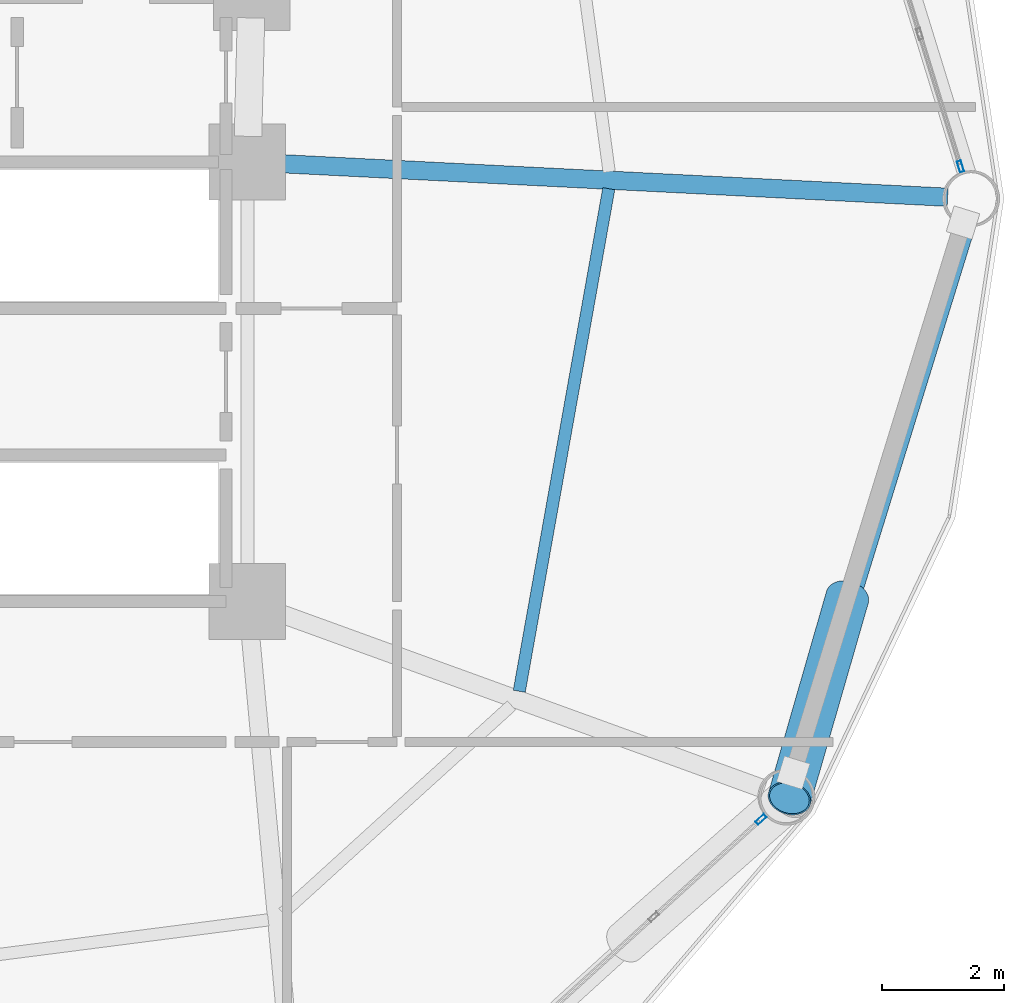
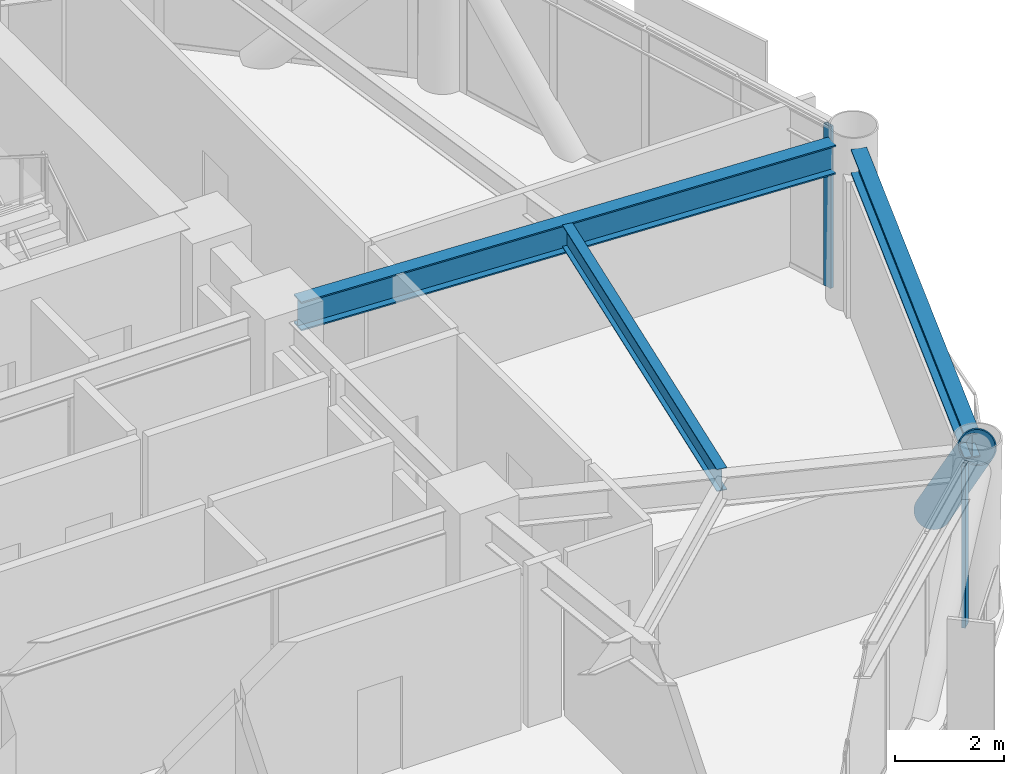
# One storey, part 13 of 25: 3 beams, 3 members, 2 elements without a shape of their own.
"""IFC4 building model written with IfcOpenShell, lengths in metres."""

from ifc_helpers import new_model, si_unit, direction, frame, origin, origin_2d, place, context, subcontext, project, spatial, hollow_rectangle, hollow_circle, i_section, extrude, material, layer, layer_set, material_profile, profile_set, type_object, element, aggregate, save


model = new_model("IFC4")

# Units and contexts
model_context = context("Model", 3, precision=1e-05, world=origin(), true_north=direction((0.0, 1.0)))
body_context = subcontext(model_context, "Body", "Model", "MODEL_VIEW")
ifc_project = project(units=[si_unit("LENGTHUNIT", "METRE"), si_unit("AREAUNIT", "SQUARE_METRE"), si_unit("VOLUMEUNIT", "CUBIC_METRE"), si_unit("PLANEANGLEUNIT", "RADIAN"), si_unit("MASSUNIT", "GRAM", prefix="KILO")], contexts=[model_context])

# Site, building, storey
site_placement = place(None, origin())
site = spatial("IfcSite", under=ifc_project, at=site_placement, CompositionType="ELEMENT")
building_placement = place(site_placement, origin())
building = spatial("IfcBuilding", under=site, at=building_placement, Name="Varnakorn Sky Granary", CompositionType="ELEMENT")
storey_placement = place(building_placement, frame((0.0, 0.0, 70.5)))
storey = spatial("IfcBuildingStorey", under=building, at=storey_placement, Name="L17", CompositionType="ELEMENT", Elevation=70.5)

# Beams
ifc_material_1 = material(Name="Steel S355JR", Category="steel")
ifc_material_profile_1 = material_profile(ifc_material_1, i_section(OverallWidth=0.300048828125, OverallDepth=0.64990234375, WebThickness=0.01611328125, FlangeThickness=0.031005859375, at=origin_2d()), Name="HE 650 B")
ifc_profile_set_1 = profile_set([ifc_material_profile_1], Name="Steel S355JR")
beam_type_1 = type_object("IfcBeamType", Name="BM-RAD-Z1", PredefinedType="BEAM", material=ifc_profile_set_1)
beam_1_placement = place(storey_placement, frame((8.76953125, 0.578857421875, 3.31494140625), z_axis=(0.998733838195, -0.050306266455, 0.0), x_axis=(0.050306266455, 0.998733838195, 0.0)))
element("IfcBeam", 1, at=beam_1_placement, inside=storey, type_object=beam_type_1, Name="Radial Floor Girder RG01 L17", PredefinedType="BEAM", context=body_context, shape_type="SweptSolid", body=[
    extrude(i_section(OverallWidth=0.300048828125, OverallDepth=0.64990234375, WebThickness=0.01611328125, FlangeThickness=0.031005859375, at=origin_2d()), origin(), (0.0, 0.0, 1.0), 11.06494140625),
])
ifc_material_profile_2 = material_profile(ifc_material_1, i_section(OverallWidth=0.199951171875, OverallDepth=0.5, WebThickness=0.01025390625, FlangeThickness=0.01611328125, at=origin_2d()), Name="IPE 500")
ifc_profile_set_2 = profile_set([ifc_material_profile_2], Name="Steel S355JR")
beam_type_2 = type_object("IfcBeamType", Name="BM-SEC-Z1", PredefinedType="BEAM", material=ifc_profile_set_2)
beam_2_placement = place(storey_placement, frame((12.803955078125, -8.06982421875, 3.389892578125), z_axis=(0.17538237994, 0.984500391471, 0.0), x_axis=(-0.984500391471, 0.17538237994, 0.0)))
element("IfcBeam", 2, at=beam_2_placement, inside=storey, type_object=beam_type_2, Name="Secondary Floor Chord Beam MSB12 L17", PredefinedType="BEAM", context=body_context, shape_type="SweptSolid", body=[
    extrude(i_section(OverallWidth=0.199951171875, OverallDepth=0.5, WebThickness=0.01025390625, FlangeThickness=0.01611328125, at=origin_2d()), origin(), (0.0, 0.0, 1.0), 8.362060546875),
])
ifc_material_profile_3 = material_profile(ifc_material_1, i_section(OverallWidth=0.300048828125, OverallDepth=0.550048828125, WebThickness=0.014892578125, FlangeThickness=0.029052734375, at=origin_2d()), Name="HE 550 B")
ifc_profile_set_3 = profile_set([ifc_material_profile_3], Name="Steel S355JR")
beam_type_3 = type_object("IfcBeamType", Name="BM-SPD-Z1", PredefinedType="SPANDREL", material=ifc_profile_set_3)
beam_3_placement = place(storey_placement, frame((17.35986328125, -9.400634765625, 3.364990234375), z_axis=(0.29497853302, 0.95550388019, 0.0), x_axis=(-0.95550388019, 0.29497853302, 0.0)))
element("IfcBeam", 3, at=beam_3_placement, inside=storey, type_object=beam_type_3, Name="Perimeter Spandrel Ring Beam RB12 L17", PredefinedType="SPANDREL", context=body_context, shape_type="SweptSolid", body=[
    extrude(i_section(OverallWidth=0.300048828125, OverallDepth=0.550048828125, WebThickness=0.014892578125, FlangeThickness=0.029052734375, at=origin_2d()), origin(), (0.0, 0.0, 1.0), 9.396484375),
])

# Curtain wall, member
ifc_material_2 = material(Name="Anodised Bronze Aluminium Alloy 6063-T6", Category="aluminium")
ifc_layer = layer(ifc_material_2, 0.18994140625, Name="Anodised Bronze Aluminium Alloy 6063-T6")
ifc_layer_set = layer_set([ifc_layer], Name="Anodised Bronze Aluminium Alloy 6063-T6")
curtain_wall_type = type_object("IfcCurtainWallType", Name="CW-FRM-1", PredefinedType="USERDEFINED", material=ifc_layer_set)
curtain_wall_1_placement = place(storey_placement, origin())
curtain_wall_1 = element("IfcCurtainWall", 4, at=curtain_wall_1_placement, inside=storey, type_object=curtain_wall_type, Name="Unitised Curtain Wall CW3 CW-L17-B01", ObjectType="CURTAIN WALL", PredefinedType="USERDEFINED")
ifc_material_profile_4 = material_profile(ifc_material_2, hollow_rectangle(XDim=0.070068359375, YDim=0.18505859375, WallThickness=0.00390625, at=origin_2d()), Name="ALU MULL 70x185")
ifc_profile_set_4 = profile_set([ifc_material_profile_4], Name="Anodised Bronze Aluminium Alloy 6063-T6")
member_type_1 = type_object("IfcMemberType", Name="CW-FRM-1-MULL", PredefinedType="MULLION", material=ifc_profile_set_4)
member_1_placement = place(storey_placement, frame((20.03125, 0.52734375, 0.0), z_axis=(0.0, 0.0, 1.0), x_axis=(0.955536644145, 0.29487238205, 0.0)))
member_1 = element("IfcMember", 5, at=member_1_placement, type_object=member_type_1, Name="CW3 mullion 5", PredefinedType="MULLION", context=body_context, shape_type="SweptSolid", body=[
    extrude(hollow_rectangle(XDim=0.070068359375, YDim=0.18505859375, WallThickness=0.00390625, at=origin_2d()), origin(), (0.0, 0.0, 1.0), 3.639892578125),
])
aggregate(curtain_wall_1, [member_1])

curtain_wall_2_placement = place(storey_placement, origin())
curtain_wall_2 = element("IfcCurtainWall", 6, at=curtain_wall_2_placement, inside=storey, type_object=curtain_wall_type, Name="Unitised Curtain Wall CW3 CW-L17-B11", ObjectType="CURTAIN WALL", PredefinedType="USERDEFINED")
member_2_placement = place(storey_placement, frame((16.76220703125, -10.168212890625, 0.0), z_axis=(0.0, 0.0, 1.0), x_axis=(0.672582331683, -0.740022301764, 0.0)))
member_2 = element("IfcMember", 7, at=member_2_placement, type_object=member_type_1, Name="CW3 mullion 1", PredefinedType="MULLION", context=body_context, shape_type="SweptSolid", body=[
    extrude(hollow_rectangle(XDim=0.070068359375, YDim=0.18505859375, WallThickness=0.00390625, at=origin_2d()), origin(), (0.0, 0.0, 1.0), 3.639892578125),
])
aggregate(curtain_wall_2, [member_2])

# Member
ifc_material_3 = material(Name="Steel S460M", Category="steel")
ifc_material_profile_5 = material_profile(ifc_material_3, hollow_circle(Radius=0.35546875, WallThickness=0.02490234375, at=origin_2d()), Name="CHS 711x25")
ifc_profile_set_5 = profile_set([ifc_material_profile_5], Name="Steel S460M")
member_type_2 = type_object("IfcMemberType", Name="MB-DIAG-T0", PredefinedType="BRACE", material=ifc_profile_set_5)
member_3_placement = place(storey_placement, frame((18.178466796875, -6.53125, -0.1298828125), z_axis=(-0.186297902917, -0.646219352979, 0.740063267028), x_axis=(0.960867739521, -0.277007557926, 0.0)))
element("IfcMember", 8, at=member_3_placement, inside=storey, type_object=member_type_2, Name="Perimeter CHS Diagrid Brace DG12 L17", PredefinedType="BRACE", context=body_context, shape_type="SweptSolid", body=[
    extrude(hollow_circle(Radius=0.35546875, WallThickness=0.02490234375, at=origin_2d()), origin(), (0.0, 0.0, 1.0), 5.09375),
])

save(model, "model.ifc")
